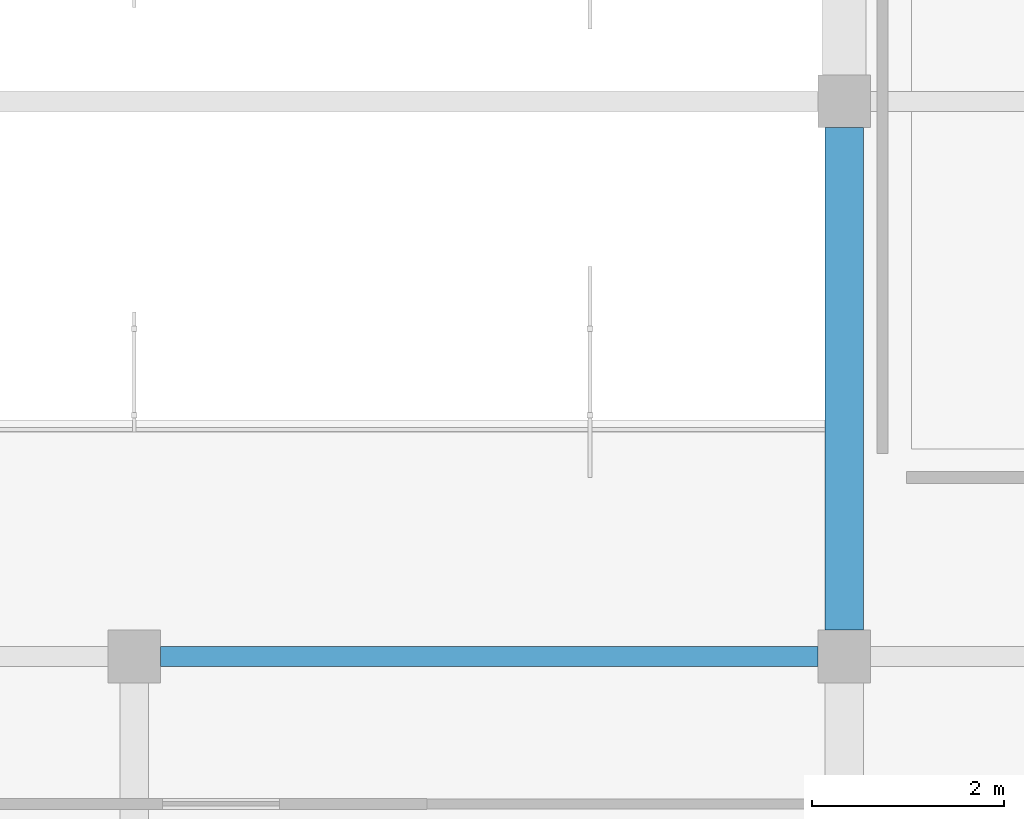
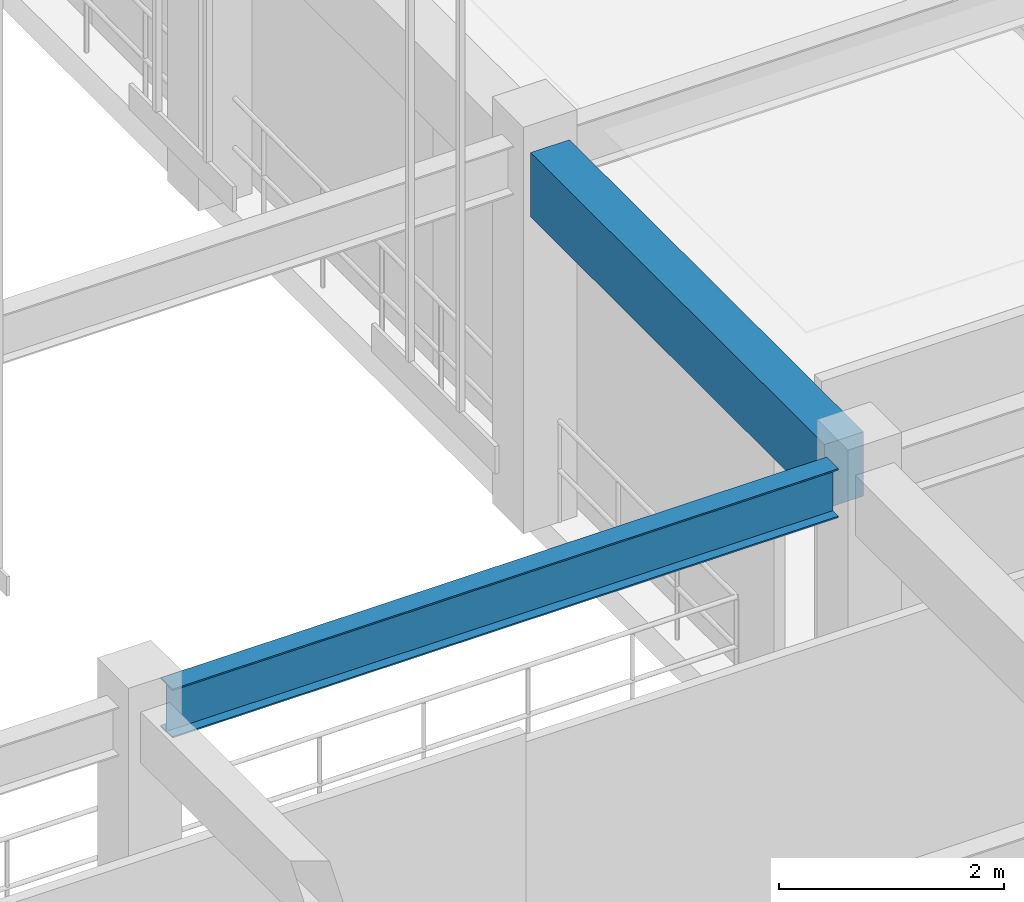
# One storey, part 30 of 142: 2 beams.
"""IFC4 building model written with IfcOpenShell, lengths in metres."""

from ifc_helpers import new_model, si_unit, direction, frame, origin, origin_2d, place, context, subcontext, project, spatial, rectangle, i_section, extrude, material, material_profile, profile_set, type_object, element, save


model = new_model("IFC4")

# Units and contexts
model_context = context("Model", 3, precision=1e-05, world=origin(), true_north=direction((0.0, 1.0)))
body_context = subcontext(model_context, "Body", "Model", "MODEL_VIEW")
ifc_project = project(units=[si_unit("LENGTHUNIT", "METRE"), si_unit("AREAUNIT", "SQUARE_METRE"), si_unit("VOLUMEUNIT", "CUBIC_METRE"), si_unit("PLANEANGLEUNIT", "RADIAN"), si_unit("MASSUNIT", "GRAM", prefix="KILO")], contexts=[model_context])

# Site, building, storey
site_placement = place(None, origin())
site = spatial("IfcSite", under=ifc_project, at=site_placement, CompositionType="ELEMENT")
building_placement = place(site_placement, origin())
building = spatial("IfcBuilding", under=site, at=building_placement, Name="Valcora Specialist Clinic", CompositionType="ELEMENT")
storey_placement = place(building_placement, frame((0.0, 0.0, 5.10009765625)))
storey = spatial("IfcBuildingStorey", under=building, at=storey_placement, Name="L01", CompositionType="ELEMENT", Elevation=5.10009765625)

# Beams
ifc_material_1 = material(Name="Steel ASTM A992 Grade 50", Category="steel")
ifc_material_profile_1 = material_profile(ifc_material_1, i_section(OverallWidth=0.208984375, OverallDepth=0.532958984375, WebThickness=0.010009765625, FlangeThickness=0.01611328125, at=origin_2d()), Name="ST-IR-530X210")
ifc_profile_set_1 = profile_set([ifc_material_profile_1], Name="Steel ASTM A992 Grade 50")
beam_type_1 = type_object("IfcBeamType", Name="TY-BM-IR530", PredefinedType="SPANDREL", material=ifc_profile_set_1)
beam_1_placement = place(storey_placement, frame((15.27490234375, 44.535888671875, 3.849365234375), z_axis=(1.0, 0.0, 0.0), x_axis=(0.0, 1.0, 0.0)))
element("IfcBeam", 1, at=beam_1_placement, inside=storey, type_object=beam_type_1, Name="Beam BM-L01-0139", PredefinedType="SPANDREL", context=body_context, shape_type="SweptSolid", body=[
    extrude(i_section(OverallWidth=0.208984375, OverallDepth=0.532958984375, WebThickness=0.010009765625, FlangeThickness=0.01611328125, at=origin_2d()), origin(), (0.0, 0.0, 1.0), 6.85009765625),
])
ifc_material_2 = material(Name="Concrete C40/50", Category="concrete")
ifc_material_profile_2 = material_profile(ifc_material_2, rectangle(XDim=0.39990234375, YDim=0.699951171875, at=origin_2d()), Name="RC-BM-400X700")
ifc_profile_set_2 = profile_set([ifc_material_profile_2], Name="Concrete C40/50")
beam_type_2 = type_object("IfcBeamType", Name="TY-BM-RC400X700", PredefinedType="BEAM", material=ifc_profile_set_2)
beam_2_placement = place(storey_placement, frame((22.39990234375, 44.81103515625, 3.77001953125), z_axis=(0.0, 1.0, 0.0), x_axis=(-1.0, 0.0, 0.0)))
element("IfcBeam", 2, at=beam_2_placement, inside=storey, type_object=beam_type_2, Name="Beam BM-L01-0176", PredefinedType="BEAM", context=body_context, shape_type="SweptSolid", body=[
    extrude(rectangle(XDim=0.39990234375, YDim=0.699951171875, at=origin_2d()), origin(), (0.0, 0.0, 1.0), 5.23486328125),
])

save(model, "model.ifc")
